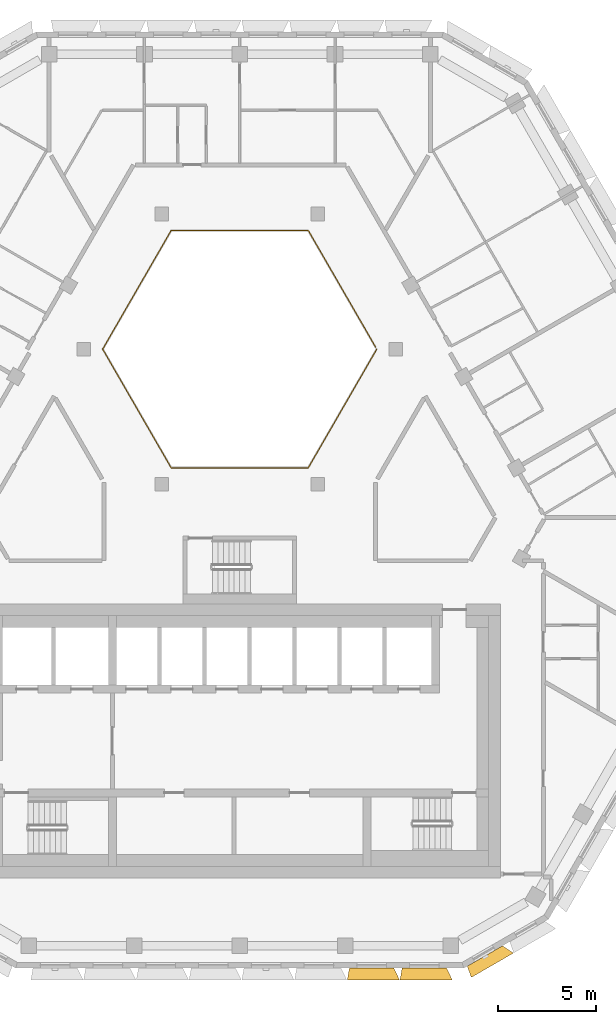
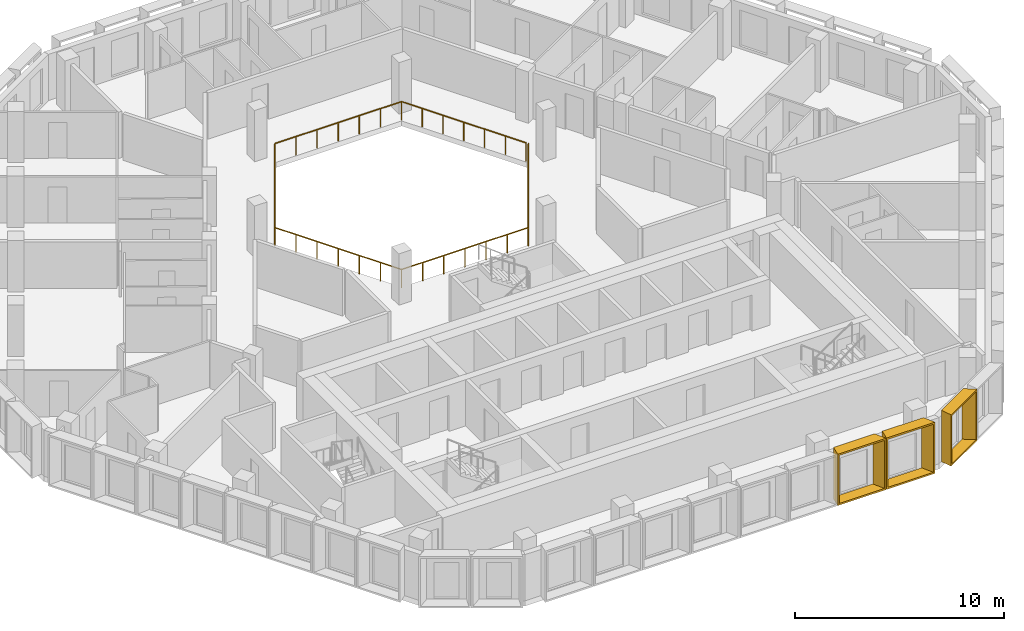
# One storey, part 16 of 18: 3 shading devices, 1 railing.
"""IFC4 building model written with IfcOpenShell, lengths in metres."""

from ifc_helpers import new_model, entity, si_unit, direction, frame, origin, origin_2d, place, context, subcontext, project, spatial, rectangle, extrude, source, transform, mapped, material, type_object, type_shapes, element, save


model = new_model("IFC4")

# Units and contexts
model_context = context("Model", 3, precision=1e-05, world=origin(), true_north=direction((0.0, 1.0)))
body_context = subcontext(model_context, "Body", "Model", "MODEL_VIEW")
ifc_project = project(units=[si_unit("LENGTHUNIT", "METRE"), si_unit("AREAUNIT", "SQUARE_METRE"), si_unit("VOLUMEUNIT", "CUBIC_METRE"), si_unit("PLANEANGLEUNIT", "RADIAN"), si_unit("MASSUNIT", "GRAM", prefix="KILO")], contexts=[model_context])

# Site, building, storey
site_placement = place(None, origin())
site = spatial("IfcSite", under=ifc_project, at=site_placement, CompositionType="ELEMENT")
building_placement = place(site_placement, origin())
building = spatial("IfcBuilding", under=site, at=building_placement, Name="Beryl Residences", CompositionType="ELEMENT")
storey_placement = place(building_placement, frame((0.0, 0.0, 184.199951171875)))
storey = spatial("IfcBuildingStorey", under=building, at=storey_placement, Name="L56", CompositionType="ELEMENT", Elevation=184.199951171875)

# Railing
ifc_material_1 = material(Name="Stainless steel balustrade with glass infill", Category="steel")
railing_type = type_object("IfcRailingType", Name="EG1 edge guard 1100 mm", PredefinedType="GUARDRAIL", material=ifc_material_1)
railing_placement = place(storey_placement, frame((6.9970703125, 8.0, 0.0)))
element("IfcRailing", 1, at=railing_placement, inside=storey, type_object=railing_type, Name="L56 atrium guard", PredefinedType="GUARDRAIL", context=body_context, shape_type="SweptSolid", body=[
    extrude(rectangle(XDim=0.048095703125, YDim=0.048095703125, at=origin_2d()), frame((0.0, 0.0, 1.076171875), z_axis=(-0.499921796684, -0.866070549782, 0.0), x_axis=(0.866070549782, -0.499921796684, 0.0)), (0.0, 0.0, 1.0), 6.9970703125),
    extrude(rectangle(XDim=0.048095703125, YDim=0.048095703125, at=origin_2d()), frame((-3.498046875, -6.06005859375, 1.076171875), z_axis=(-1.0, 0.0, 0.0), x_axis=(0.0, -1.0, 0.0)), (0.0, 0.0, 1.0), 6.998046875),
    extrude(rectangle(XDim=0.048095703125, YDim=0.048095703125, at=origin_2d()), frame((-10.49609375, -6.06005859375, 1.076171875), z_axis=(-0.499921796684, 0.866070549782, 0.0), x_axis=(-0.866070549782, -0.499921796684, 0.0)), (0.0, 0.0, 1.0), 6.9970703125),
    extrude(rectangle(XDim=0.048095703125, YDim=0.048095703125, at=origin_2d()), frame((-13.994140625, 0.0, 1.076171875), z_axis=(0.499921796684, 0.866070549782, 0.0), x_axis=(-0.866070549782, 0.499921796684, 0.0)), (0.0, 0.0, 1.0), 6.9970703125),
    extrude(rectangle(XDim=0.048095703125, YDim=0.048095703125, at=origin_2d()), frame((-10.49609375, 6.06005859375, 1.076171875), z_axis=(1.0, 0.0, 0.0), x_axis=(0.0, 1.0, 0.0)), (0.0, 0.0, 1.0), 6.998046875),
    extrude(rectangle(XDim=0.048095703125, YDim=0.048095703125, at=origin_2d()), frame((-3.498046875, 6.06005859375, 1.076171875), z_axis=(0.499919131929, -0.866072087953, 0.0), x_axis=(0.866072087953, 0.499919131929, 0.0)), (0.0, 0.0, 1.0), 6.877197265625),
    extrude(rectangle(XDim=0.0419921875, YDim=0.0419921875, at=origin_2d()), origin(), (0.0, 0.0, 1.0), 1.052001953125),
    extrude(rectangle(XDim=0.0419921875, YDim=0.0419921875, at=origin_2d()), frame((-0.5830078125, -1.010009765625, 0.0)), (0.0, 0.0, 1.0), 1.052001953125),
    extrude(rectangle(XDim=0.0419921875, YDim=0.0419921875, at=origin_2d()), frame((-1.166015625, -2.02001953125, 0.0)), (0.0, 0.0, 1.0), 1.052001953125),
    extrude(rectangle(XDim=0.0419921875, YDim=0.0419921875, at=origin_2d()), frame((-1.7490234375, -3.030029296875, 0.0)), (0.0, 0.0, 1.0), 1.052001953125),
    extrude(rectangle(XDim=0.0419921875, YDim=0.0419921875, at=origin_2d()), frame((-2.33203125, -4.0400390625, 0.0)), (0.0, 0.0, 1.0), 1.052001953125),
    extrude(rectangle(XDim=0.0419921875, YDim=0.0419921875, at=origin_2d()), frame((-2.9150390625, -5.050048828125, 0.0)), (0.0, 0.0, 1.0), 1.052001953125),
    extrude(rectangle(XDim=0.0419921875, YDim=0.0419921875, at=origin_2d()), frame((-3.498046875, -6.06005859375, 0.0)), (0.0, 0.0, 1.0), 1.052001953125),
    extrude(rectangle(XDim=0.0419921875, YDim=0.0419921875, at=origin_2d()), frame((-4.664306640625, -6.06005859375, 0.0)), (0.0, 0.0, 1.0), 1.052001953125),
    extrude(rectangle(XDim=0.0419921875, YDim=0.0419921875, at=origin_2d()), frame((-5.830810546875, -6.06005859375, 0.0)), (0.0, 0.0, 1.0), 1.052001953125),
    extrude(rectangle(XDim=0.0419921875, YDim=0.0419921875, at=origin_2d()), frame((-6.9970703125, -6.06005859375, 0.0)), (0.0, 0.0, 1.0), 1.052001953125),
    extrude(rectangle(XDim=0.0419921875, YDim=0.0419921875, at=origin_2d()), frame((-8.163330078125, -6.06005859375, 0.0)), (0.0, 0.0, 1.0), 1.052001953125),
    extrude(rectangle(XDim=0.0419921875, YDim=0.0419921875, at=origin_2d()), frame((-9.329833984375, -6.06005859375, 0.0)), (0.0, 0.0, 1.0), 1.052001953125),
    extrude(rectangle(XDim=0.0419921875, YDim=0.0419921875, at=origin_2d()), frame((-10.49609375, -6.06005859375, 0.0)), (0.0, 0.0, 1.0), 1.052001953125),
    extrude(rectangle(XDim=0.0419921875, YDim=0.0419921875, at=origin_2d()), frame((-11.0791015625, -5.050048828125, 0.0)), (0.0, 0.0, 1.0), 1.052001953125),
    extrude(rectangle(XDim=0.0419921875, YDim=0.0419921875, at=origin_2d()), frame((-11.662109375, -4.0400390625, 0.0)), (0.0, 0.0, 1.0), 1.052001953125),
    extrude(rectangle(XDim=0.0419921875, YDim=0.0419921875, at=origin_2d()), frame((-12.2451171875, -3.030029296875, 0.0)), (0.0, 0.0, 1.0), 1.052001953125),
    extrude(rectangle(XDim=0.0419921875, YDim=0.0419921875, at=origin_2d()), frame((-12.828125, -2.02001953125, 0.0)), (0.0, 0.0, 1.0), 1.052001953125),
    extrude(rectangle(XDim=0.0419921875, YDim=0.0419921875, at=origin_2d()), frame((-13.4111328125, -1.010009765625, 0.0)), (0.0, 0.0, 1.0), 1.052001953125),
    extrude(rectangle(XDim=0.0419921875, YDim=0.0419921875, at=origin_2d()), frame((-13.994140625, 0.0, 0.0)), (0.0, 0.0, 1.0), 1.052001953125),
    extrude(rectangle(XDim=0.0419921875, YDim=0.0419921875, at=origin_2d()), frame((-13.4111328125, 1.010009765625, 0.0)), (0.0, 0.0, 1.0), 1.052001953125),
    extrude(rectangle(XDim=0.0419921875, YDim=0.0419921875, at=origin_2d()), frame((-12.828125, 2.02001953125, 0.0)), (0.0, 0.0, 1.0), 1.052001953125),
    extrude(rectangle(XDim=0.0419921875, YDim=0.0419921875, at=origin_2d()), frame((-12.2451171875, 3.030029296875, 0.0)), (0.0, 0.0, 1.0), 1.052001953125),
    extrude(rectangle(XDim=0.0419921875, YDim=0.0419921875, at=origin_2d()), frame((-11.662109375, 4.0400390625, 0.0)), (0.0, 0.0, 1.0), 1.052001953125),
    extrude(rectangle(XDim=0.0419921875, YDim=0.0419921875, at=origin_2d()), frame((-11.0791015625, 5.050048828125, 0.0)), (0.0, 0.0, 1.0), 1.052001953125),
    extrude(rectangle(XDim=0.0419921875, YDim=0.0419921875, at=origin_2d()), frame((-10.49609375, 6.06005859375, 0.0)), (0.0, 0.0, 1.0), 1.052001953125),
    extrude(rectangle(XDim=0.0419921875, YDim=0.0419921875, at=origin_2d()), frame((-9.329833984375, 6.06005859375, 0.0)), (0.0, 0.0, 1.0), 1.052001953125),
    extrude(rectangle(XDim=0.0419921875, YDim=0.0419921875, at=origin_2d()), frame((-8.163330078125, 6.06005859375, 0.0)), (0.0, 0.0, 1.0), 1.052001953125),
    extrude(rectangle(XDim=0.0419921875, YDim=0.0419921875, at=origin_2d()), frame((-6.9970703125, 6.06005859375, 0.0)), (0.0, 0.0, 1.0), 1.052001953125),
    extrude(rectangle(XDim=0.0419921875, YDim=0.0419921875, at=origin_2d()), frame((-5.830810546875, 6.06005859375, 0.0)), (0.0, 0.0, 1.0), 1.052001953125),
    extrude(rectangle(XDim=0.0419921875, YDim=0.0419921875, at=origin_2d()), frame((-4.664306640625, 6.06005859375, 0.0)), (0.0, 0.0, 1.0), 1.052001953125),
    extrude(rectangle(XDim=0.0419921875, YDim=0.0419921875, at=origin_2d()), frame((-3.498046875, 6.06005859375, 0.0)), (0.0, 0.0, 1.0), 1.052001953125),
    extrude(rectangle(XDim=0.0419921875, YDim=0.0419921875, at=origin_2d()), frame((-2.925048828125, 5.0673828125, 0.0)), (0.0, 0.0, 1.0), 1.052001953125),
    extrude(rectangle(XDim=0.0419921875, YDim=0.0419921875, at=origin_2d()), frame((-2.35205078125, 4.07470703125, 0.0)), (0.0, 0.0, 1.0), 1.052001953125),
    extrude(rectangle(XDim=0.0419921875, YDim=0.0419921875, at=origin_2d()), frame((-1.779052734375, 3.08203125, 0.0)), (0.0, 0.0, 1.0), 1.052001953125),
    extrude(rectangle(XDim=0.0419921875, YDim=0.0419921875, at=origin_2d()), frame((-1.2060546875, 2.08935546875, 0.0)), (0.0, 0.0, 1.0), 1.052001953125),
    extrude(rectangle(XDim=0.0419921875, YDim=0.0419921875, at=origin_2d()), frame((-0.633056640625, 1.0966796875, 0.0)), (0.0, 0.0, 1.0), 1.052001953125),
    extrude(rectangle(XDim=0.0419921875, YDim=0.0419921875, at=origin_2d()), frame((-0.06005859375, 0.10400390625, 0.0)), (0.0, 0.0, 1.0), 1.052001953125),
])

# Shading devices
ifc_material_2 = material(Name="Aluminium pale anodised", Category="aluminium")
shading_device_type_1 = type_object("IfcShadingDeviceType", Name="FR250-60C OUTER SKIN frame 600 mm deep, splay 10/26 deg, 2500 x 3000 mm cell", PredefinedType="USERDEFINED", material=ifc_material_2)
cartesian_point_1 = entity("IfcCartesianPoint", [-1.04052734375, 0.0])
cartesian_point_2 = entity("IfcCartesianPoint", [-0.959228515625, 0.10009765625])
cartesian_point_3 = entity("IfcCartesianPoint", [-1.146240234375, 0.0])
cartesian_point_4 = entity("IfcCartesianPoint", [-1.06494140625, 0.10009765625])
shared_shape_1 = source(origin(), body_context, "Body", "SweptSolid", [
    entity("IfcExtrudedAreaSolidTapered", entity("IfcArbitraryProfileDefWithVoids", "AREA", None, entity("IfcPolyline", [cartesian_point_1, entity("IfcCartesianPoint", [1.04052734375, 0.0]), entity("IfcCartesianPoint", [1.04052734375, 3.0]), entity("IfcCartesianPoint", [-1.04052734375, 3.0]), cartesian_point_1]), [entity("IfcPolyline", [cartesian_point_2, entity("IfcCartesianPoint", [0.951416015625, 0.10009765625]), entity("IfcCartesianPoint", [0.951416015625, 2.89990234375]), entity("IfcCartesianPoint", [-0.959228515625, 2.89990234375]), cartesian_point_2])]), entity("IfcAxis2Placement3D", entity("IfcCartesianPoint", [0.0, 0.0, 0.0]), entity("IfcDirection", [0.0, 1.0, 0.0]), entity("IfcDirection", [-1.0, 0.0, 0.0])), entity("IfcDirection", [0.0, 0.0, 1.0]), 0.60009765625, entity("IfcArbitraryProfileDefWithVoids", "AREA", None, entity("IfcPolyline", [cartesian_point_3, entity("IfcCartesianPoint", [1.333251953125, 0.0]), entity("IfcCartesianPoint", [1.333251953125, 3.0]), entity("IfcCartesianPoint", [-1.146240234375, 3.0]), cartesian_point_3]), [entity("IfcPolyline", [cartesian_point_4, entity("IfcCartesianPoint", [1.244140625, 0.10009765625]), entity("IfcCartesianPoint", [1.244140625, 2.89990234375]), entity("IfcCartesianPoint", [-1.06494140625, 2.89990234375]), cartesian_point_4])])),
])
type_shapes(shading_device_type_1, [shared_shape_1])
shading_device_placement = place(storey_placement, frame((12.513916015625, -22.97509765625, 0.0), z_axis=(0.0, 0.0, 1.0), x_axis=(-0.866025403784, -0.5, 0.0)))
element("IfcShadingDevice", 2, at=shading_device_placement, inside=storey, type_object=shading_device_type_1, Name="FR250-60C frame L56 S-SE 1", ObjectType="OUTER SKIN", PredefinedType="USERDEFINED", context=body_context, shape_type="MappedRepresentation", body=[
    mapped(shared_shape_1, transform((0.0, 0.0, 0.0))),
])
ifc_material_3 = material(Name="Aluminium pale anodised", Category="aluminium")
shading_device_type_2 = type_object("IfcShadingDeviceType", Name="FR269-60C OUTER SKIN frame 600 mm deep, splay 10/26 deg, 2690 x 3000 mm cell", PredefinedType="USERDEFINED", material=ifc_material_3)
cartesian_point_5 = entity("IfcCartesianPoint", [-1.135498046875, 0.0])
cartesian_point_6 = entity("IfcCartesianPoint", [-1.05419921875, 0.10009765625])
cartesian_point_7 = entity("IfcCartesianPoint", [-1.2412109375, 0.0])
cartesian_point_8 = entity("IfcCartesianPoint", [-1.16015625, 0.10009765625])
shared_shape_2 = source(origin(), body_context, "Body", "SweptSolid", [
    entity("IfcExtrudedAreaSolidTapered", entity("IfcArbitraryProfileDefWithVoids", "AREA", None, entity("IfcPolyline", [cartesian_point_5, entity("IfcCartesianPoint", [1.135498046875, 0.0]), entity("IfcCartesianPoint", [1.135498046875, 3.0]), entity("IfcCartesianPoint", [-1.135498046875, 3.0]), cartesian_point_5]), [entity("IfcPolyline", [cartesian_point_6, entity("IfcCartesianPoint", [1.04638671875, 0.10009765625]), entity("IfcCartesianPoint", [1.04638671875, 2.89990234375]), entity("IfcCartesianPoint", [-1.05419921875, 2.89990234375]), cartesian_point_6])]), entity("IfcAxis2Placement3D", entity("IfcCartesianPoint", [0.0, 0.0, 0.0]), entity("IfcDirection", [0.0, 1.0, 0.0]), entity("IfcDirection", [-1.0, 0.0, 0.0])), entity("IfcDirection", [0.0, 0.0, 1.0]), 0.60009765625, entity("IfcArbitraryProfileDefWithVoids", "AREA", None, entity("IfcPolyline", [cartesian_point_7, entity("IfcCartesianPoint", [1.42822265625, 0.0]), entity("IfcCartesianPoint", [1.42822265625, 3.0]), entity("IfcCartesianPoint", [-1.2412109375, 3.0]), cartesian_point_7]), [entity("IfcPolyline", [cartesian_point_8, entity("IfcCartesianPoint", [1.339111328125, 0.10009765625]), entity("IfcCartesianPoint", [1.339111328125, 2.89990234375]), entity("IfcCartesianPoint", [-1.16015625, 2.89990234375]), cartesian_point_8])])),
])
type_shapes(shading_device_type_2, [shared_shape_2])
for number, where, z_axis, x_axis, name in (
    (3, (6.73095703125, -23.60009765625, 0.0), (0.0, 0.0, 1.0), (-1.0, 0.0, 0.0), "FR269-60C frame L56 S 7"),
    (4, (9.423095703125, -23.60009765625, 0.0), (0.0, 0.0, 1.0), (-1.0, 0.0, 0.0), "FR269-60C frame L56 S 8"),
):
    element("IfcShadingDevice", number, at=place(storey_placement, frame(where, z_axis=z_axis, x_axis=x_axis)), inside=storey, type_object=shading_device_type_2, Name=name, ObjectType="OUTER SKIN", PredefinedType="USERDEFINED", context=body_context, shape_type="MappedRepresentation", body=[
        mapped(shared_shape_2, transform((0.0, 0.0, 0.0))),
    ])

save(model, "model.ifc")
